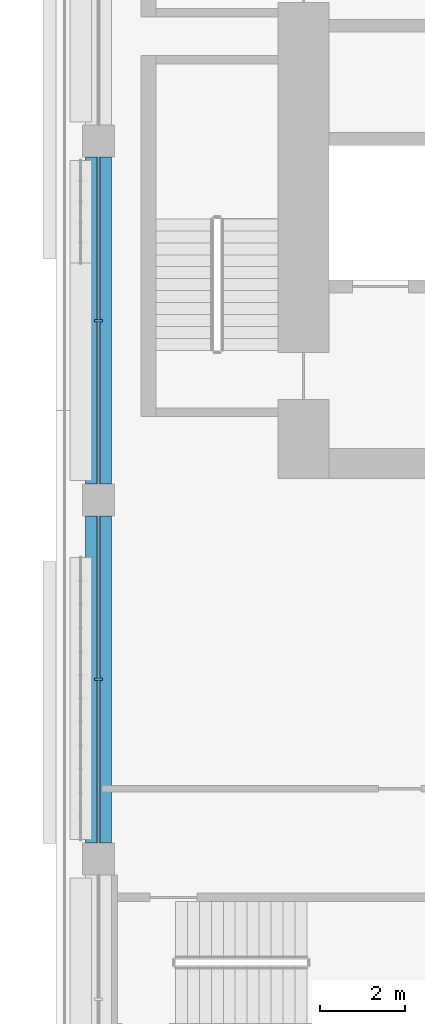
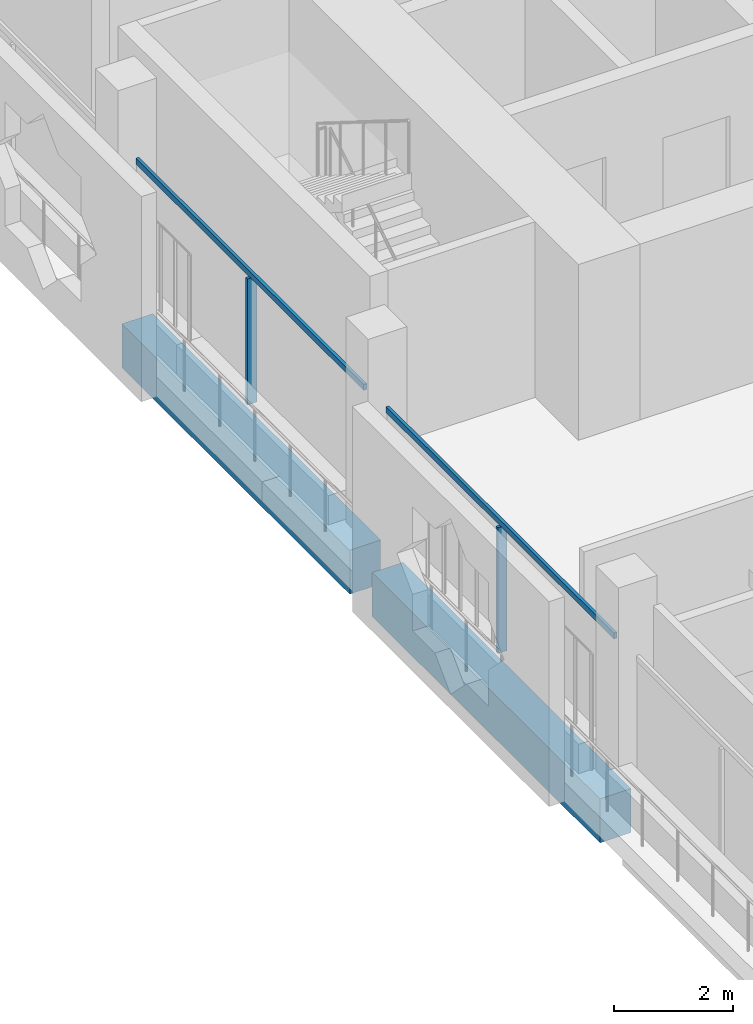
# One storey, part 3 of 22: 4 members, 2 beams, 1 element without a shape of its own.
"""IFC4 building model written with IfcOpenShell, lengths in metres."""

from ifc_helpers import new_model, si_unit, direction, frame, origin, origin_2d, place, context, subcontext, project, spatial, rectangle, extrude, material, layer, layer_set, material_profile, profile_set, type_object, element, aggregate, save


model = new_model("IFC4")

# Units and contexts
model_context = context("Model", 3, precision=1e-05, world=origin(), true_north=direction((0.0, 1.0)))
body_context = subcontext(model_context, "Body", "Model", "MODEL_VIEW")
ifc_project = project(units=[si_unit("LENGTHUNIT", "METRE"), si_unit("AREAUNIT", "SQUARE_METRE"), si_unit("VOLUMEUNIT", "CUBIC_METRE"), si_unit("PLANEANGLEUNIT", "RADIAN"), si_unit("MASSUNIT", "GRAM", prefix="KILO")], contexts=[model_context])

# Site, building, storey
site_placement = place(None, origin())
site = spatial("IfcSite", under=ifc_project, at=site_placement, CompositionType="ELEMENT")
building_placement = place(site_placement, origin())
building = spatial("IfcBuilding", under=site, at=building_placement, Name="Kawkab Arch Medical Tower", CompositionType="ELEMENT")
storey_placement = place(building_placement, frame((0.0, 0.0, 286.0)))
storey = spatial("IfcBuildingStorey", under=building, at=storey_placement, Name="L66", CompositionType="ELEMENT", Elevation=286.0)

# Curtain wall, members
ifc_material_1 = material(Name="Bronze anodised aluminium curtain wall frame", Category="aluminium")
ifc_layer = layer(ifc_material_1, 0.159912109375)
ifc_layer_set = layer_set([ifc_layer], Name="Bronze anodised aluminium curtain wall frame")
curtain_wall_type = type_object("IfcCurtainWallType", Name="CW1 ward curtain wall", PredefinedType="NOTDEFINED", material=ifc_layer_set)
curtain_wall_placement = place(storey_placement, origin())
curtain_wall = element("IfcCurtainWall", 1, at=curtain_wall_placement, inside=storey, type_object=curtain_wall_type, Name="CW1 Ward curtain wall R12", PredefinedType="NOTDEFINED")
ifc_material_2 = material(Name="Bronze anodised aluminium curtain wall frame", Category="aluminium")
ifc_material_profile_1 = material_profile(ifc_material_2, rectangle(XDim=0.179931640625, YDim=0.06005859375, at=origin_2d()), Name="AL 60x180")
ifc_profile_set_1 = profile_set([ifc_material_profile_1], Name="Bronze anodised aluminium curtain wall frame")
member_type_1 = type_object("IfcMemberType", Name="CW1 mullion 60 x 180", PredefinedType="MULLION", material=ifc_profile_set_1)
member_1_placement = place(storey_placement, frame((0.0, -21.0, 0.0), z_axis=(0.0, 0.0, 1.0), x_axis=(1.0, 0.0, 0.0)))
member_1 = element("IfcMember", 2, at=member_1_placement, type_object=member_type_1, Name="CW1 mullion 2.1", PredefinedType="MULLION", context=body_context, shape_type="SweptSolid", body=[
    extrude(rectangle(XDim=0.179931640625, YDim=0.06005859375, at=origin_2d()), origin(), (0.0, 0.0, 1.0), 2.580078125),
])
member_2_placement = place(storey_placement, frame((0.0, -29.39990234375, 0.0), z_axis=(0.0, 0.0, 1.0), x_axis=(1.0, 0.0, 0.0)))
member_2 = element("IfcMember", 3, at=member_2_placement, type_object=member_type_1, Name="CW1 mullion 3.1", PredefinedType="MULLION", context=body_context, shape_type="SweptSolid", body=[
    extrude(rectangle(XDim=0.179931640625, YDim=0.06005859375, at=origin_2d()), origin(), (0.0, 0.0, 1.0), 2.580078125),
])
ifc_material_3 = material(Name="Bronze anodised aluminium curtain wall frame", Category="aluminium")
ifc_material_profile_2 = material_profile(ifc_material_3, rectangle(XDim=0.06005859375, YDim=0.1201171875, at=origin_2d()), Name="AL 60x120")
ifc_profile_set_2 = profile_set([ifc_material_profile_2], Name="Bronze anodised aluminium curtain wall frame")
member_type_2 = type_object("IfcMemberType", Name="CW1 transom 120 x 60", PredefinedType="USERDEFINED", material=ifc_profile_set_2)
member_3_placement = place(storey_placement, frame((0.0, -17.175048828125, 2.639892578125), z_axis=(0.0, -1.0, 0.0), x_axis=(1.0, 0.0, 0.0)))
member_3 = element("IfcMember", 4, at=member_3_placement, type_object=member_type_2, Name="CW1 transom 2", ObjectType="TRANSOM", PredefinedType="USERDEFINED", context=body_context, shape_type="SweptSolid", body=[
    extrude(rectangle(XDim=0.06005859375, YDim=0.1201171875, at=origin_2d()), origin(), (0.0, 0.0, 1.0), 7.64990234375),
])
member_4_placement = place(storey_placement, frame((0.0, -25.574951171875, 2.639892578125), z_axis=(0.0, -1.0, 0.0), x_axis=(1.0, 0.0, 0.0)))
member_4 = element("IfcMember", 5, at=member_4_placement, type_object=member_type_2, Name="CW1 transom 3", ObjectType="TRANSOM", PredefinedType="USERDEFINED", context=body_context, shape_type="SweptSolid", body=[
    extrude(rectangle(XDim=0.06005859375, YDim=0.1201171875, at=origin_2d()), origin(), (0.0, 0.0, 1.0), 7.650146484375),
])
aggregate(curtain_wall, [member_3, member_1, member_4, member_2])

# Beams
ifc_material_4 = material(Name="Concrete C40/50", Category="concrete")
ifc_material_profile_3 = material_profile(ifc_material_4, rectangle(XDim=0.60009765625, YDim=0.89990234375, at=origin_2d()), Name="RC 600x900")
ifc_profile_set_3 = profile_set([ifc_material_profile_3], Name="Concrete C40/50")
beam_type = type_object("IfcBeamType", Name="RC 600x900 beam C40/50", PredefinedType="BEAM", material=ifc_profile_set_3)
beam_1_placement = place(storey_placement, frame((0.0, -33.22509765625, -1.050048828125), z_axis=(0.0, 1.0, 0.0), x_axis=(-1.0, 0.0, 0.0)))
element("IfcBeam", 6, at=beam_1_placement, inside=storey, type_object=beam_type, Name="Overhang edge beam L66-04", PredefinedType="BEAM", context=body_context, shape_type="SweptSolid", body=[
    extrude(rectangle(XDim=0.60009765625, YDim=0.89990234375, at=origin_2d()), origin(), (0.0, 0.0, 1.0), 7.650146484375),
])
beam_2_placement = place(storey_placement, frame((0.0, -24.824951171875, -1.050048828125), z_axis=(0.0, 1.0, 0.0), x_axis=(-1.0, 0.0, 0.0)))
element("IfcBeam", 7, at=beam_2_placement, inside=storey, type_object=beam_type, Name="Overhang edge beam L66-05", PredefinedType="BEAM", context=body_context, shape_type="SweptSolid", body=[
    extrude(rectangle(XDim=0.60009765625, YDim=0.89990234375, at=origin_2d()), origin(), (0.0, 0.0, 1.0), 7.64990234375),
])

save(model, "model.ifc")
